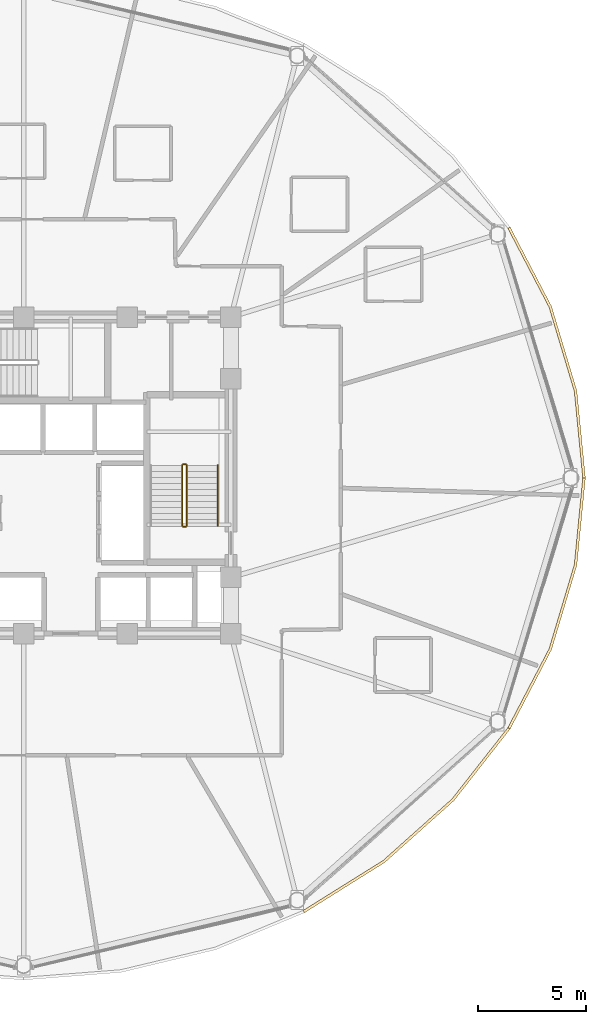
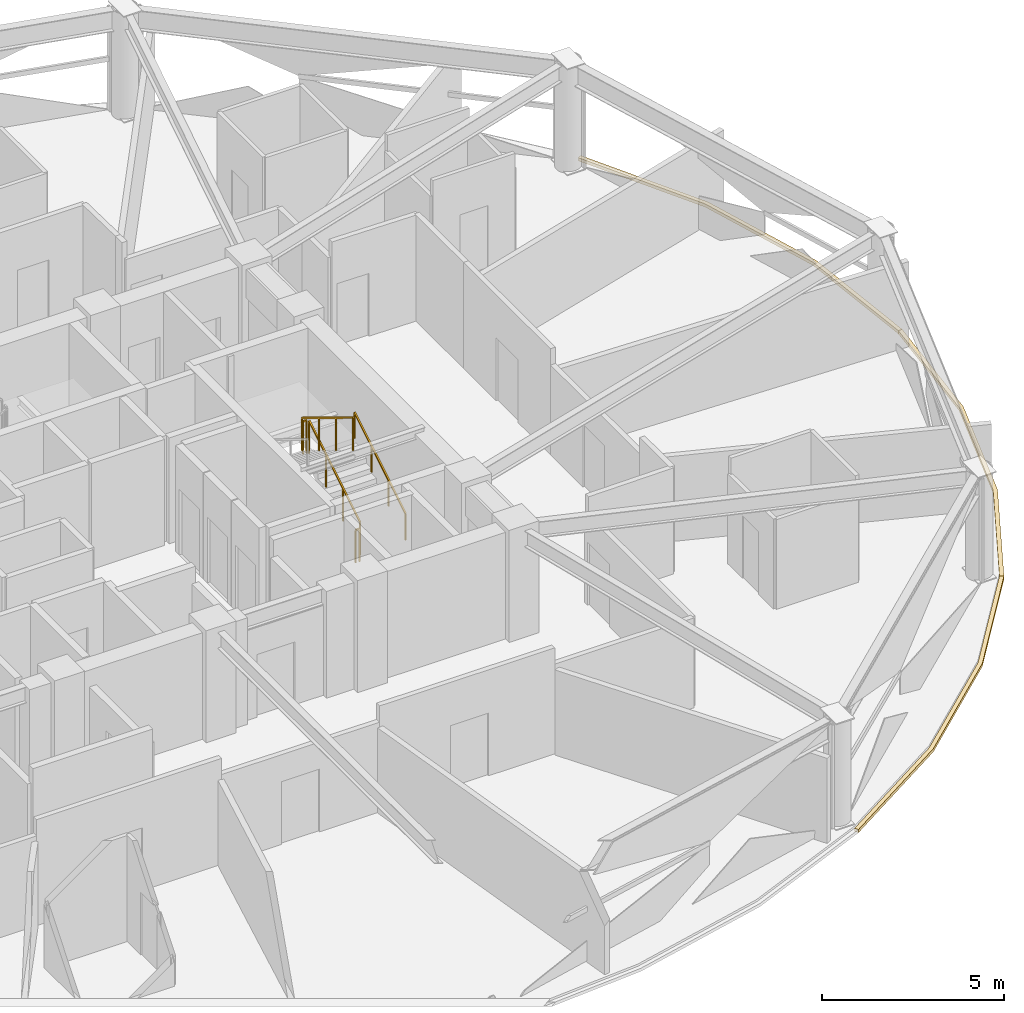
# One storey, part 30 of 31: 5 railings, 3 coverings.
"""IFC4 building model written with IfcOpenShell, lengths in metres."""

from ifc_helpers import new_model, si_unit, direction, frame, origin, origin_2d, place, context, subcontext, project, spatial, polyline, rectangle, outline, extrude, material, layer, layer_set, type_object, element, save


model = new_model("IFC4")

# Units and contexts
model_context = context("Model", 3, precision=1e-05, world=origin(), true_north=direction((0.0, 1.0)))
body_context = subcontext(model_context, "Body", "Model", "MODEL_VIEW")
ifc_project = project(units=[si_unit("LENGTHUNIT", "METRE"), si_unit("AREAUNIT", "SQUARE_METRE"), si_unit("VOLUMEUNIT", "CUBIC_METRE"), si_unit("PLANEANGLEUNIT", "RADIAN"), si_unit("MASSUNIT", "GRAM", prefix="KILO")], contexts=[model_context])

# Site, building, storey
site_placement = place(None, origin())
site = spatial("IfcSite", under=ifc_project, at=site_placement, CompositionType="ELEMENT")
building_placement = place(site_placement, origin())
building = spatial("IfcBuilding", under=site, at=building_placement, Name="Vantalir Tower", CompositionType="ELEMENT")
storey_placement = place(building_placement, frame((0.0, 0.0, 115.949951171875)))
storey = spatial("IfcBuildingStorey", under=building, at=storey_placement, Name="L28", CompositionType="ELEMENT", Elevation=115.949951171875)

# Coverings
ifc_material_1 = material(Name="Anodised champagne aluminium sill fascia", Category="aluminium")
ifc_layer = layer(ifc_material_1, 0.125)
ifc_layer_set = layer_set([ifc_layer], Name="Anodised champagne aluminium sill fascia")
covering_type = type_object("IfcCoveringType", Name="COV-SLAB-FASCIA-125", PredefinedType="CLADDING", material=ifc_layer_set)
covering_1_placement = place(storey_placement, frame((0.0, 0.0, -0.179931640625)))
element("IfcCovering", 1, at=covering_1_placement, inside=storey, type_object=covering_type, Name="L28 Perimeter Slab-Edge Sill Fascia 01", PredefinedType="CLADDING", context=body_context, shape_type="SweptSolid", body=[
    extrude(outline(polyline([(57.514892578125, 25.0), (57.1201171875, 29.035888671875), (55.946044921875, 32.948974609375), (54.030029296875, 36.6201171875), (53.9208984375, 36.55810546875), (55.8291015625, 32.906005859375), (56.9970703125, 29.013916015625), (57.389892578125, 25.0), (57.514892578125, 25.0)])), origin(), (0.0, 0.0, 1.0), 0.10498046875),
])
covering_2_placement = place(storey_placement, frame((0.0, 0.0, -0.179931640625)))
element("IfcCovering", 2, at=covering_2_placement, inside=storey, type_object=covering_type, Name="L28 Perimeter Slab-Edge Sill Fascia 11", PredefinedType="CLADDING", context=body_context, shape_type="SweptSolid", body=[
    extrude(outline(polyline([(44.508056640625, 4.873046875), (48.221923828125, 7.196044921875), (51.428955078125, 10.06103515625), (54.030029296875, 13.37890625), (53.9208984375, 13.44189453125), (51.3330078125, 10.14111328125), (48.14208984375, 7.2919921875), (44.445068359375, 4.98095703125), (44.508056640625, 4.873046875)])), origin(), (0.0, 0.0, 1.0), 0.10498046875),
])
covering_3_placement = place(storey_placement, frame((0.0, 0.0, -0.179931640625)))
element("IfcCovering", 3, at=covering_3_placement, inside=storey, type_object=covering_type, Name="L28 Perimeter Slab-Edge Sill Fascia 12", PredefinedType="CLADDING", context=body_context, shape_type="SweptSolid", body=[
    extrude(outline(polyline([(54.030029296875, 13.37890625), (55.946044921875, 17.051025390625), (57.1201171875, 20.964111328125), (57.514892578125, 25.0), (57.389892578125, 25.0), (56.9970703125, 20.986083984375), (55.8291015625, 17.093994140625), (53.9208984375, 13.44189453125), (54.030029296875, 13.37890625)])), origin(), (0.0, 0.0, 1.0), 0.10498046875),
])

# Railings
ifc_material_2 = material(Name="Anodised aluminium and stainless steel guard", Category="steel")
railing_type_1 = type_object("IfcRailingType", Name="RAL-GUARD-1120", PredefinedType="GUARDRAIL", material=ifc_material_2)
railing_1_placement = place(storey_placement, frame((39.06005859375, 22.7900390625, 0.17041015625)))
element("IfcRailing", 4, at=railing_1_placement, inside=storey, type_object=railing_type_1, Name="L28 ST2 stair guard 1", PredefinedType="GUARDRAIL", context=body_context, shape_type="SweptSolid", body=[
    extrude(rectangle(XDim=0.048095703125, YDim=0.048095703125, at=origin_2d()), frame((0.0, 0.0, 1.09619140625), z_axis=(0.0, 0.854169791009, 0.51999420009), x_axis=(-1.0, 0.0, 0.0)), (0.0, 0.0, 1.0), 3.278076171875),
    extrude(rectangle(XDim=0.0419921875, YDim=0.0419921875, at=origin_2d()), origin(), (0.0, 0.0, 1.0), 1.072021484375),
    extrude(rectangle(XDim=0.0419921875, YDim=0.0419921875, at=origin_2d()), frame((0.0, 0.933349609375, 0.568115234375)), (0.0, 0.0, 1.0), 1.072021484375),
    extrude(rectangle(XDim=0.0419921875, YDim=0.0419921875, at=origin_2d()), frame((0.0, 1.86669921875, 1.136474609375)), (0.0, 0.0, 1.0), 1.072021484375),
    extrude(rectangle(XDim=0.0419921875, YDim=0.0419921875, at=origin_2d()), frame((0.0, 2.800048828125, 1.70458984375)), (0.0, 0.0, 1.0), 1.072021484375),
])
railing_2_placement = place(storey_placement, frame((39.010009765625, 25.639892578125, 1.875)))
element("IfcRailing", 5, at=railing_2_placement, inside=storey, type_object=railing_type_1, Name="L28 ST2 stair guard 2", PredefinedType="GUARDRAIL", context=body_context, shape_type="SweptSolid", body=[
    extrude(rectangle(XDim=0.048095703125, YDim=0.048095703125, at=origin_2d()), frame((0.0, 0.0, 1.09619140625), z_axis=(-1.0, 0.0, 0.0), x_axis=(0.0, -1.0, 0.0)), (0.0, 0.0, 1.0), 0.1201171875),
    extrude(rectangle(XDim=0.0419921875, YDim=0.0419921875, at=origin_2d()), origin(), (0.0, 0.0, 1.0), 1.072021484375),
    extrude(rectangle(XDim=0.0419921875, YDim=0.0419921875, at=origin_2d()), frame((-0.1201171875, 0.0, 0.0)), (0.0, 0.0, 1.0), 1.072021484375),
])
railing_3_placement = place(storey_placement, frame((38.840087890625, 25.590087890625, 2.04541015625)))
element("IfcRailing", 6, at=railing_3_placement, inside=storey, type_object=railing_type_1, Name="L28 ST2 stair guard 3", PredefinedType="GUARDRAIL", context=body_context, shape_type="SweptSolid", body=[
    extrude(rectangle(XDim=0.048095703125, YDim=0.048095703125, at=origin_2d()), frame((0.0, 0.0, 1.09619140625), z_axis=(0.0, -0.854169791009, 0.51999420009), x_axis=(1.0, 0.0, 0.0)), (0.0, 0.0, 1.0), 3.278076171875),
    extrude(rectangle(XDim=0.0419921875, YDim=0.0419921875, at=origin_2d()), origin(), (0.0, 0.0, 1.0), 1.072021484375),
    extrude(rectangle(XDim=0.0419921875, YDim=0.0419921875, at=origin_2d()), frame((0.0, -0.933349609375, 0.568115234375)), (0.0, 0.0, 1.0), 1.072021484375),
    extrude(rectangle(XDim=0.0419921875, YDim=0.0419921875, at=origin_2d()), frame((0.0, -1.86669921875, 1.136474609375)), (0.0, 0.0, 1.0), 1.072021484375),
    extrude(rectangle(XDim=0.0419921875, YDim=0.0419921875, at=origin_2d()), frame((0.0, -2.800048828125, 1.70458984375)), (0.0, 0.0, 1.0), 1.072021484375),
])
railing_4_placement = place(storey_placement, frame((39.010009765625, 22.739990234375, 0.0)))
element("IfcRailing", 7, at=railing_4_placement, inside=storey, type_object=railing_type_1, Name="L28 ST2 stair guard 4", PredefinedType="GUARDRAIL", context=body_context, shape_type="SweptSolid", body=[
    extrude(rectangle(XDim=0.048095703125, YDim=0.048095703125, at=origin_2d()), frame((0.0, 0.0, 1.09619140625), z_axis=(-1.0, 0.0, 0.0), x_axis=(0.0, -1.0, 0.0)), (0.0, 0.0, 1.0), 0.1201171875),
    extrude(rectangle(XDim=0.0419921875, YDim=0.0419921875, at=origin_2d()), origin(), (0.0, 0.0, 1.0), 1.072021484375),
    extrude(rectangle(XDim=0.0419921875, YDim=0.0419921875, at=origin_2d()), frame((-0.1201171875, 0.0, 0.0)), (0.0, 0.0, 1.0), 1.072021484375),
])
ifc_material_3 = material(Name="Brushed stainless steel tubular handrail", Category="steel")
railing_type_2 = type_object("IfcRailingType", Name="RAL-HANDRAIL-900", PredefinedType="HANDRAIL", material=ifc_material_3)
railing_5_placement = place(storey_placement, frame((40.5, 22.7900390625, 0.17041015625)))
element("IfcRailing", 8, at=railing_5_placement, inside=storey, type_object=railing_type_2, Name="L28 ST2 stair handrail 1", PredefinedType="HANDRAIL", context=body_context, shape_type="SweptSolid", body=[
    extrude(rectangle(XDim=0.048095703125, YDim=0.048095703125, at=origin_2d()), frame((0.0, 0.0, 0.8759765625), z_axis=(0.0, 0.854169791009, 0.51999420009), x_axis=(-1.0, 0.0, 0.0)), (0.0, 0.0, 1.0), 3.278076171875),
    extrude(rectangle(XDim=0.0419921875, YDim=0.0419921875, at=origin_2d()), origin(), (0.0, 0.0, 1.0), 0.851806640625),
    extrude(rectangle(XDim=0.0419921875, YDim=0.0419921875, at=origin_2d()), frame((0.0, 0.933349609375, 0.568115234375)), (0.0, 0.0, 1.0), 0.851806640625),
    extrude(rectangle(XDim=0.0419921875, YDim=0.0419921875, at=origin_2d()), frame((0.0, 1.86669921875, 1.136474609375)), (0.0, 0.0, 1.0), 0.851806640625),
    extrude(rectangle(XDim=0.0419921875, YDim=0.0419921875, at=origin_2d()), frame((0.0, 2.800048828125, 1.70458984375)), (0.0, 0.0, 1.0), 0.851806640625),
])

save(model, "model.ifc")
